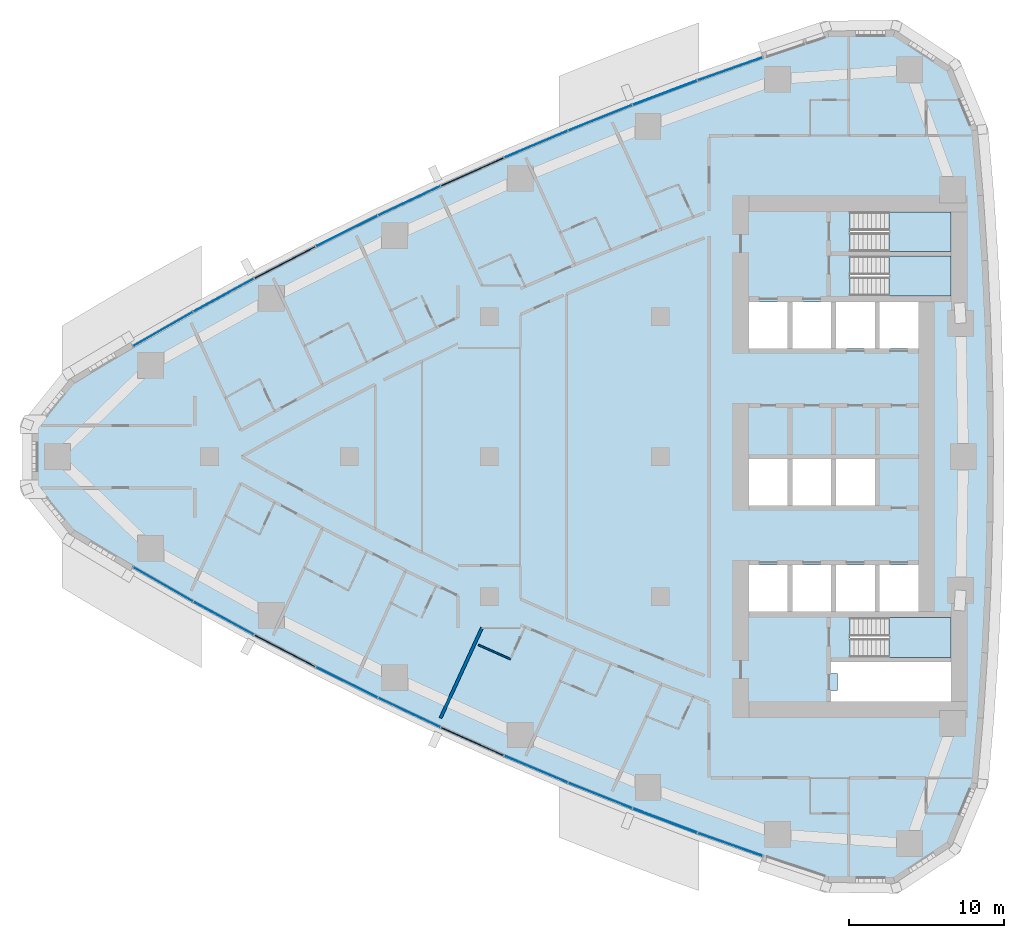
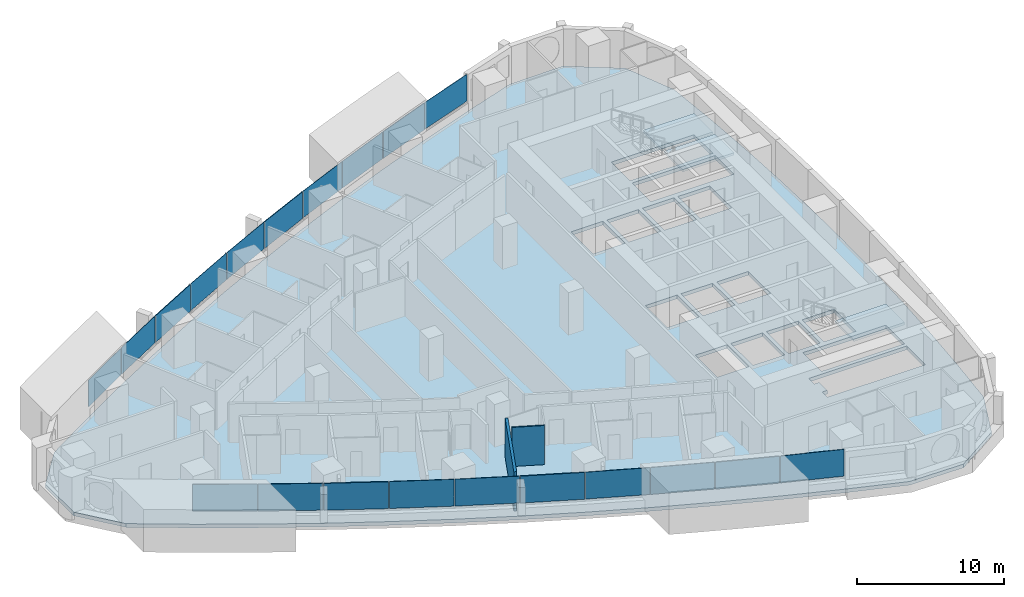
# One storey, part 7 of 17: 20 plates, 4 slabs, 2 walls, 1 opening, 13 elements without a shape of their own.
"""IFC4 building model written with IfcOpenShell, lengths in metres."""

from ifc_helpers import new_model, si_unit, direction, frame, frame_2d, origin, origin_2d, place, context, subcontext, project, spatial, polyline, rectangle, outline, extrude, material, layer, layer_set, type_object, element, aggregate, save


model = new_model("IFC4")

# Units and contexts
model_context = context("Model", 3, precision=1e-05, world=origin(), true_north=direction((0.0, 1.0)))
body_context = subcontext(model_context, "Body", "Model", "MODEL_VIEW")
ifc_project = project(units=[si_unit("LENGTHUNIT", "METRE"), si_unit("AREAUNIT", "SQUARE_METRE"), si_unit("VOLUMEUNIT", "CUBIC_METRE"), si_unit("PLANEANGLEUNIT", "RADIAN"), si_unit("MASSUNIT", "GRAM", prefix="KILO")], contexts=[model_context])

# Site, building, storey
site_placement = place(None, origin())
site = spatial("IfcSite", under=ifc_project, at=site_placement, CompositionType="ELEMENT")
building_placement = place(site_placement, origin())
building = spatial("IfcBuilding", under=site, at=building_placement, Name="Ostrand Prow Hotel Tower", CompositionType="ELEMENT")
storey_placement = place(building_placement, frame((0.0, 0.0, 102.64990234375)))
storey = spatial("IfcBuildingStorey", under=building, at=storey_placement, Name="L24", CompositionType="ELEMENT", Elevation=102.64990234375)

# Curtain wall, plates
ifc_material_1 = material(Name="Insulated glass in bronze anodised frame", Category="glass")
ifc_layer_1 = layer(ifc_material_1, 0.199951171875)
ifc_layer_set_1 = layer_set([ifc_layer_1], Name="Insulated glass in bronze anodised frame")
curtain_wall_type = type_object("IfcCurtainWallType", Name="Strip curtain wall, fritted glass over bronze spandrel", PredefinedType="NOTDEFINED", material=ifc_layer_set_1)
curtain_wall_1_placement = place(storey_placement, origin())
curtain_wall_1 = element("IfcCurtainWall", 1, at=curtain_wall_1_placement, inside=storey, type_object=curtain_wall_type, Name="CW1 run CWS1", PredefinedType="NOTDEFINED")
ifc_material_2 = material(Name="Ceramic-fritted glass", Category="glass")
ifc_layer_2 = layer(ifc_material_2, 0.031982421875)
ifc_layer_set_2 = layer_set([ifc_layer_2], Name="Ceramic-fritted glass")
plate_type_1 = type_object("IfcPlateType", Name="Dot-fritted ceramic glass unit 32 mm", PredefinedType="CURTAIN_PANEL", material=ifc_layer_set_2)
plate_1_placement = place(storey_placement, frame((13.013916015625, -8.2099609375, 1.02001953125), z_axis=(0.0, 0.0, 1.0), x_axis=(0.867684775301, -0.497114806368, 0.0)))
plate_1 = element("IfcPlate", 2, at=plate_1_placement, type_object=plate_type_1, Name="CW1 PN-D panel 1.2", PredefinedType="CURTAIN_PANEL", context=body_context, shape_type="SweptSolid", body=[
    extrude(rectangle(XDim=4.406005859375, YDim=0.031982421875, at=origin_2d()), origin(), (0.0, 0.0, 1.0), 2.22998046875),
])
plate_2_placement = place(storey_placement, frame((16.910888671875, -10.39111328125, 1.02001953125), z_axis=(0.0, 0.0, 1.0), x_axis=(0.877466978439, -0.479637052103, 0.0)))
plate_2 = element("IfcPlate", 3, at=plate_2_placement, type_object=plate_type_1, Name="CW1 PN-D panel 2.2", PredefinedType="CURTAIN_PANEL", context=body_context, shape_type="SweptSolid", body=[
    extrude(rectangle(XDim=4.406005859375, YDim=0.031982421875, at=origin_2d()), origin(), (0.0, 0.0, 1.0), 2.22998046875),
])
aggregate(curtain_wall_1, [plate_1, plate_2])

# Curtain wall, plate
curtain_wall_2_placement = place(storey_placement, origin())
curtain_wall_2 = element("IfcCurtainWall", 4, at=curtain_wall_2_placement, inside=storey, type_object=curtain_wall_type, Name="CW1 run CWS2", PredefinedType="NOTDEFINED")
plate_3_placement = place(storey_placement, frame((24.831787109375, -14.516845703125, 1.02001953125), z_axis=(0.0, 0.0, 1.0), x_axis=(0.895970803653, -0.44411295748, 0.0)))
plate_3 = element("IfcPlate", 5, at=plate_3_placement, type_object=plate_type_1, Name="CW1 PN-D panel 2.2", PredefinedType="CURTAIN_PANEL", context=body_context, shape_type="SweptSolid", body=[
    extrude(rectangle(XDim=4.406005859375, YDim=0.031982421875, at=origin_2d()), origin(), (0.0, 0.0, 1.0), 2.22998046875),
])

curtain_wall_3_placement = place(storey_placement, origin())
curtain_wall_3 = element("IfcCurtainWall", 6, at=curtain_wall_3_placement, inside=storey, type_object=curtain_wall_type, Name="CW1 run CWS3", PredefinedType="NOTDEFINED")
plate_4_placement = place(storey_placement, frame((28.852783203125, -16.4599609375, 1.02001953125), z_axis=(0.0, 0.0, 1.0), x_axis=(0.904685808958, -0.426079320162, 0.0)))
plate_4 = element("IfcPlate", 7, at=plate_4_placement, type_object=plate_type_1, Name="CW1 PN-D panel 1.2", PredefinedType="CURTAIN_PANEL", context=body_context, shape_type="SweptSolid", body=[
    extrude(rectangle(XDim=4.406005859375, YDim=0.031982421875, at=origin_2d()), origin(), (0.0, 0.0, 1.0), 2.22998046875),
])

# Curtain wall, plates
curtain_wall_4_placement = place(storey_placement, origin())
curtain_wall_4 = element("IfcCurtainWall", 8, at=curtain_wall_4_placement, inside=storey, type_object=curtain_wall_type, Name="CW1 run CWS4", PredefinedType="NOTDEFINED")
plate_5_placement = place(storey_placement, frame((37.007080078125, -20.102783203125, 1.02001953125), z_axis=(0.0, 0.0, 1.0), x_axis=(0.921023688536, -0.389506566255, 0.0)))
plate_5 = element("IfcPlate", 9, at=plate_5_placement, type_object=plate_type_1, Name="CW1 PN-D panel 1.2", PredefinedType="CURTAIN_PANEL", context=body_context, shape_type="SweptSolid", body=[
    extrude(rectangle(XDim=4.406005859375, YDim=0.031982421875, at=origin_2d()), origin(), (0.0, 0.0, 1.0), 2.22998046875),
])
plate_6_placement = place(storey_placement, frame((41.137451171875, -21.801025390625, 1.02001953125), z_axis=(0.0, 0.0, 1.0), x_axis=(0.928640008649, -0.370982121315, 0.0)))
plate_6 = element("IfcPlate", 10, at=plate_6_placement, type_object=plate_type_1, Name="CW1 PN-D panel 2.2", PredefinedType="CURTAIN_PANEL", context=body_context, shape_type="SweptSolid", body=[
    extrude(rectangle(XDim=4.406005859375, YDim=0.031982421875, at=origin_2d()), origin(), (0.0, 0.0, 1.0), 2.22998046875),
])
aggregate(curtain_wall_4, [plate_5, plate_6])

# Curtain wall, plate
curtain_wall_5_placement = place(storey_placement, origin())
curtain_wall_5 = element("IfcCurtainWall", 11, at=curtain_wall_5_placement, inside=storey, type_object=curtain_wall_type, Name="CW1 run CWS5", PredefinedType="NOTDEFINED")
plate_7_placement = place(storey_placement, frame((49.49609375, -24.947509765625, 1.02001953125), z_axis=(0.0, 0.0, 1.0), x_axis=(0.942751551748, -0.333495894542, 0.0)))
plate_7 = element("IfcPlate", 12, at=plate_7_placement, type_object=plate_type_1, Name="CW1 PN-D panel 2.2", PredefinedType="CURTAIN_PANEL", context=body_context, shape_type="SweptSolid", body=[
    extrude(rectangle(XDim=4.406005859375, YDim=0.031982421875, at=origin_2d()), origin(), (0.0, 0.0, 1.0), 2.22998046875),
])

curtain_wall_6_placement = place(storey_placement, origin())
curtain_wall_6 = element("IfcCurtainWall", 13, at=curtain_wall_6_placement, inside=storey, type_object=curtain_wall_type, Name="CW1 run CWN1", PredefinedType="NOTDEFINED")
plate_8_placement = place(storey_placement, frame((49.49609375, 24.947509765625, 1.02001953125), z_axis=(0.0, 0.0, 1.0), x_axis=(-0.942751551748, -0.333495894542, 0.0)))
plate_8 = element("IfcPlate", 14, at=plate_8_placement, type_object=plate_type_1, Name="CW1 PN-D panel 1.2", PredefinedType="CURTAIN_PANEL", context=body_context, shape_type="SweptSolid", body=[
    extrude(rectangle(XDim=4.406005859375, YDim=0.031982421875, at=origin_2d()), origin(), (0.0, 0.0, 1.0), 2.22998046875),
])

# Curtain wall, plates
curtain_wall_7_placement = place(storey_placement, origin())
curtain_wall_7 = element("IfcCurtainWall", 15, at=curtain_wall_7_placement, inside=storey, type_object=curtain_wall_type, Name="CW1 run CWN2", PredefinedType="NOTDEFINED")
plate_9_placement = place(storey_placement, frame((41.137451171875, 21.801025390625, 1.02001953125), z_axis=(0.0, 0.0, 1.0), x_axis=(-0.928640008649, -0.370982121315, 0.0)))
plate_9 = element("IfcPlate", 16, at=plate_9_placement, type_object=plate_type_1, Name="CW1 PN-D panel 1.2", PredefinedType="CURTAIN_PANEL", context=body_context, shape_type="SweptSolid", body=[
    extrude(rectangle(XDim=4.406005859375, YDim=0.031982421875, at=origin_2d()), origin(), (0.0, 0.0, 1.0), 2.22998046875),
])
plate_10_placement = place(storey_placement, frame((37.007080078125, 20.102783203125, 1.02001953125), z_axis=(0.0, 0.0, 1.0), x_axis=(-0.921023688536, -0.389506566255, 0.0)))
plate_10 = element("IfcPlate", 17, at=plate_10_placement, type_object=plate_type_1, Name="CW1 PN-D panel 2.2", PredefinedType="CURTAIN_PANEL", context=body_context, shape_type="SweptSolid", body=[
    extrude(rectangle(XDim=4.406005859375, YDim=0.031982421875, at=origin_2d()), origin(), (0.0, 0.0, 1.0), 2.22998046875),
])
aggregate(curtain_wall_7, [plate_9, plate_10])

# Curtain wall, plate
curtain_wall_8_placement = place(storey_placement, origin())
curtain_wall_8 = element("IfcCurtainWall", 18, at=curtain_wall_8_placement, inside=storey, type_object=curtain_wall_type, Name="CW1 run CWN3", PredefinedType="NOTDEFINED")
plate_11_placement = place(storey_placement, frame((28.852783203125, 16.4599609375, 1.02001953125), z_axis=(0.0, 0.0, 1.0), x_axis=(-0.904685808958, -0.426079320162, 0.0)))
plate_11 = element("IfcPlate", 19, at=plate_11_placement, type_object=plate_type_1, Name="CW1 PN-D panel 2.2", PredefinedType="CURTAIN_PANEL", context=body_context, shape_type="SweptSolid", body=[
    extrude(rectangle(XDim=4.406005859375, YDim=0.031982421875, at=origin_2d()), origin(), (0.0, 0.0, 1.0), 2.22998046875),
])

curtain_wall_9_placement = place(storey_placement, origin())
curtain_wall_9 = element("IfcCurtainWall", 20, at=curtain_wall_9_placement, inside=storey, type_object=curtain_wall_type, Name="CW1 run CWN4", PredefinedType="NOTDEFINED")
plate_12_placement = place(storey_placement, frame((24.831787109375, 14.516845703125, 1.02001953125), z_axis=(0.0, 0.0, 1.0), x_axis=(-0.895970803653, -0.44411295748, 0.0)))
plate_12 = element("IfcPlate", 21, at=plate_12_placement, type_object=plate_type_1, Name="CW1 PN-D panel 1.2", PredefinedType="CURTAIN_PANEL", context=body_context, shape_type="SweptSolid", body=[
    extrude(rectangle(XDim=4.406005859375, YDim=0.031982421875, at=origin_2d()), origin(), (0.0, 0.0, 1.0), 2.22998046875),
])

# Curtain wall, plates
curtain_wall_10_placement = place(storey_placement, origin())
curtain_wall_10 = element("IfcCurtainWall", 22, at=curtain_wall_10_placement, inside=storey, type_object=curtain_wall_type, Name="CW1 run CWN5", PredefinedType="NOTDEFINED")
plate_13_placement = place(storey_placement, frame((16.910888671875, 10.39111328125, 1.02001953125), z_axis=(0.0, 0.0, 1.0), x_axis=(-0.877466978439, -0.479637052103, 0.0)))
plate_13 = element("IfcPlate", 23, at=plate_13_placement, type_object=plate_type_1, Name="CW1 PN-D panel 1.2", PredefinedType="CURTAIN_PANEL", context=body_context, shape_type="SweptSolid", body=[
    extrude(rectangle(XDim=4.406005859375, YDim=0.031982421875, at=origin_2d()), origin(), (0.0, 0.0, 1.0), 2.22998046875),
])
plate_14_placement = place(storey_placement, frame((13.013916015625, 8.2099609375, 1.02001953125), z_axis=(0.0, 0.0, 1.0), x_axis=(-0.867684775301, -0.497114806368, 0.0)))
plate_14 = element("IfcPlate", 24, at=plate_14_placement, type_object=plate_type_1, Name="CW1 PN-D panel 2.2", PredefinedType="CURTAIN_PANEL", context=body_context, shape_type="SweptSolid", body=[
    extrude(rectangle(XDim=4.406005859375, YDim=0.031982421875, at=origin_2d()), origin(), (0.0, 0.0, 1.0), 2.22998046875),
])
aggregate(curtain_wall_10, [plate_13, plate_14])

# Plate
ifc_material_3 = material(Name="Fritted glass in bronze vent frame", Category="glass")
ifc_layer_3 = layer(ifc_material_3, 0.06005859375)
ifc_layer_set_3 = layer_set([ifc_layer_3], Name="Fritted glass in bronze vent frame")
plate_type_2 = type_object("IfcPlateType", Name="Operable vent panel 60 mm", PredefinedType="CURTAIN_PANEL", material=ifc_layer_set_3)
plate_15_placement = place(storey_placement, frame((20.8505859375, -12.49365234375, 1.02001953125), z_axis=(0.0, 0.0, 1.0), x_axis=(0.886896367661, -0.461968432937, 0.0)))
plate_15 = element("IfcPlate", 25, at=plate_15_placement, type_object=plate_type_2, Name="CW1 PN-O panel 1.2", PredefinedType="CURTAIN_PANEL", context=body_context, shape_type="SweptSolid", body=[
    extrude(rectangle(XDim=4.406005859375, YDim=0.06005859375, at=origin_2d()), origin(), (0.0, 0.0, 1.0), 2.22998046875),
])

aggregate(curtain_wall_2, [plate_15, plate_3])

plate_16_placement = place(storey_placement, frame((32.911865234375, -18.322265625, 1.02001953125), z_axis=(0.0, 0.0, 1.0), x_axis=(0.913037887435, -0.407874755419, 0.0)))
plate_16 = element("IfcPlate", 26, at=plate_16_placement, type_object=plate_type_2, Name="CW1 PN-O panel 2.2", PredefinedType="CURTAIN_PANEL", context=body_context, shape_type="SweptSolid", body=[
    extrude(rectangle(XDim=4.406005859375, YDim=0.06005859375, at=origin_2d()), origin(), (0.0, 0.0, 1.0), 2.22998046875),
])

aggregate(curtain_wall_3, [plate_4, plate_16])

plate_17_placement = place(storey_placement, frame((45.301025390625, -23.416015625, 1.02001953125), z_axis=(0.0, 0.0, 1.0), x_axis=(0.935883792387, -0.35230885193, 0.0)))
plate_17 = element("IfcPlate", 27, at=plate_17_placement, type_object=plate_type_2, Name="CW1 PN-O panel 1.2", PredefinedType="CURTAIN_PANEL", context=body_context, shape_type="SweptSolid", body=[
    extrude(rectangle(XDim=4.406005859375, YDim=0.06005859375, at=origin_2d()), origin(), (0.0, 0.0, 1.0), 2.22998046875),
])

aggregate(curtain_wall_5, [plate_17, plate_7])

plate_18_placement = place(storey_placement, frame((45.301025390625, 23.416015625, 1.02001953125), z_axis=(0.0, 0.0, 1.0), x_axis=(-0.935883792387, -0.35230885193, 0.0)))
plate_18 = element("IfcPlate", 28, at=plate_18_placement, type_object=plate_type_2, Name="CW1 PN-O panel 2.2", PredefinedType="CURTAIN_PANEL", context=body_context, shape_type="SweptSolid", body=[
    extrude(rectangle(XDim=4.406005859375, YDim=0.06005859375, at=origin_2d()), origin(), (0.0, 0.0, 1.0), 2.22998046875),
])

aggregate(curtain_wall_6, [plate_8, plate_18])

plate_19_placement = place(storey_placement, frame((32.911865234375, 18.322265625, 1.02001953125), z_axis=(0.0, 0.0, 1.0), x_axis=(-0.913037887435, -0.407874755419, 0.0)))
plate_19 = element("IfcPlate", 29, at=plate_19_placement, type_object=plate_type_2, Name="CW1 PN-O panel 1.2", PredefinedType="CURTAIN_PANEL", context=body_context, shape_type="SweptSolid", body=[
    extrude(rectangle(XDim=4.406005859375, YDim=0.06005859375, at=origin_2d()), origin(), (0.0, 0.0, 1.0), 2.22998046875),
])

aggregate(curtain_wall_8, [plate_19, plate_11])

plate_20_placement = place(storey_placement, frame((20.8505859375, 12.49365234375, 1.02001953125), z_axis=(0.0, 0.0, 1.0), x_axis=(-0.886896367661, -0.461968432937, 0.0)))
plate_20 = element("IfcPlate", 30, at=plate_20_placement, type_object=plate_type_2, Name="CW1 PN-O panel 2.2", PredefinedType="CURTAIN_PANEL", context=body_context, shape_type="SweptSolid", body=[
    extrude(rectangle(XDim=4.406005859375, YDim=0.06005859375, at=origin_2d()), origin(), (0.0, 0.0, 1.0), 2.22998046875),
])

aggregate(curtain_wall_9, [plate_12, plate_20])

# Slab, opening
ifc_material_4 = material(Name="Concrete C40/50", Category="concrete")
ifc_layer_4 = layer(ifc_material_4, 0.300048828125)
ifc_layer_set_4 = layer_set([ifc_layer_4], Name="Concrete C40/50")
slab_type_1 = type_object("IfcSlabType", Name="PT flat plate 300 C40/50", PredefinedType="FLOOR", material=ifc_layer_set_4)
slab_1_placement = place(storey_placement, frame((0.0, 0.0, -0.2998046875)))
slab_1 = element("IfcSlab", 31, at=slab_1_placement, inside=storey, type_object=slab_type_1, Name="Floor slab L24-1", PredefinedType="FLOOR", context=body_context, shape_type="SweptSolid", body=[
    extrude(outline(polyline([(7.150390625, 4.879638671875), (11.01806640625, 7.19970703125), (14.89501953125, 9.4208984375), (18.81591796875, 11.56396484375), (22.77880859375, 13.628173828125), (26.7822265625, 15.61279296875), (30.82470703125, 17.5166015625), (34.904541015625, 19.339111328125), (39.02001953125, 21.07958984375), (43.16943359375, 22.7373046875), (47.351318359375, 24.311279296875), (51.563720703125, 25.801513671875), (55.839599609375, 27.218505859375), (60.05615234375, 27.271728515625), (63.6103515625, 24.932861328125), (65.2294921875, 21.039306640625), (65.598876953125, 16.81201171875), (65.883544921875, 12.614501953125), (66.087158203125, 8.412353515625), (66.209228515625, 4.206787109375), (66.25, 0.0), (66.209228515625, -4.206787109375), (66.087158203125, -8.412353515625), (65.883544921875, -12.614501953125), (65.598876953125, -16.81201171875), (65.2294921875, -21.039306640625), (63.6103515625, -24.932861328125), (60.05615234375, -27.271728515625), (55.839599609375, -27.218505859375), (51.563720703125, -25.801513671875), (47.351318359375, -24.311279296875), (43.16943359375, -22.7373046875), (39.02001953125, -21.07958984375), (34.904541015625, -19.339111328125), (30.82470703125, -17.5166015625), (26.7822265625, -15.61279296875), (22.77880859375, -13.628173828125), (18.81591796875, -11.56396484375), (14.89501953125, -9.4208984375), (11.01806640625, -7.19970703125), (7.150390625, -4.879638671875), (4.75830078125, -1.923583984375), (4.75830078125, 1.923583984375), (7.150390625, 4.879638671875)]), holes=[polyline([(50.699951171875, 6.949951171875), (53.199951171875, 6.949951171875), (53.199951171875, 9.949951171875), (50.699951171875, 9.949951171875), (50.699951171875, 6.949951171875)]), polyline([(53.5, 6.949951171875), (56.0, 6.949951171875), (56.0, 9.949951171875), (53.5, 9.949951171875), (53.5, 6.949951171875)]), polyline([(56.300048828125, 6.949951171875), (58.800048828125, 6.949951171875), (58.800048828125, 9.949951171875), (56.300048828125, 9.949951171875), (56.300048828125, 6.949951171875)]), polyline([(59.10009765625, 6.949951171875), (61.60009765625, 6.949951171875), (61.60009765625, 9.949951171875), (59.10009765625, 9.949951171875), (59.10009765625, 6.949951171875)]), polyline([(50.699951171875, -3.14990234375), (53.199951171875, -3.14990234375), (53.199951171875, -0.14990234375), (50.699951171875, -0.14990234375), (50.699951171875, -3.14990234375)]), polyline([(53.5, -3.14990234375), (56.0, -3.14990234375), (56.0, -0.14990234375), (53.5, -0.14990234375), (53.5, -3.14990234375)]), polyline([(56.300048828125, -3.14990234375), (58.800048828125, -3.14990234375), (58.800048828125, -0.14990234375), (56.300048828125, -0.14990234375), (56.300048828125, -3.14990234375)]), polyline([(50.699951171875, -9.949951171875), (53.199951171875, -9.949951171875), (53.199951171875, -6.949951171875), (50.699951171875, -6.949951171875), (50.699951171875, -9.949951171875)]), polyline([(53.5, -9.949951171875), (56.0, -9.949951171875), (56.0, -6.949951171875), (53.5, -6.949951171875), (53.5, -9.949951171875)]), polyline([(56.300048828125, -9.949951171875), (58.800048828125, -9.949951171875), (58.800048828125, -6.949951171875), (56.300048828125, -6.949951171875), (56.300048828125, -9.949951171875)]), polyline([(59.10009765625, -9.949951171875), (61.60009765625, -9.949951171875), (61.60009765625, -6.949951171875), (59.10009765625, -6.949951171875), (59.10009765625, -9.949951171875)]), polyline([(57.200927734375, 10.35107421875), (57.200927734375, 12.89892578125), (63.718994140625, 12.89892578125), (63.718994140625, 10.35107421875), (57.200927734375, 10.35107421875)]), polyline([(57.200927734375, 13.200927734375), (57.200927734375, 15.7490234375), (63.718994140625, 15.7490234375), (63.718994140625, 13.200927734375), (57.200927734375, 13.200927734375)]), polyline([(57.200927734375, -12.89892578125), (57.200927734375, -10.35107421875), (63.718994140625, -10.35107421875), (63.718994140625, -12.89892578125), (57.200927734375, -12.89892578125)]), polyline([(56.0, -13.199951171875), (63.719970703125, -13.199951171875), (63.719970703125, -15.75), (56.0, -15.75), (56.0, -15.050048828125), (56.39990234375, -15.050048828125), (56.39990234375, -13.949951171875), (56.0, -13.949951171875), (56.0, -13.199951171875)])]), origin(), (0.0, 0.0, 1.0), 0.2998046875),
])
opening_placement = place(slab_1_placement, origin())
element("IfcOpeningElement", 32, at=opening_placement, cuts=slab_1, Name="Shaft opening 1", PredefinedType="OPENING", context=body_context, shape_type="SweptSolid", body=[
    extrude(outline(polyline([(56.0, -13.199951171875), (63.719970703125, -13.199951171875), (63.719970703125, -15.75), (56.0, -15.75), (56.0, -15.050048828125), (56.39990234375, -15.050048828125), (56.39990234375, -13.949951171875), (56.0, -13.949951171875), (56.0, -13.199951171875)])), origin(), (0.0, 0.0, 1.0), 0.2998046875),
])

# Stair, slab
ifc_material_5 = material(Name="Concrete C40/50", Category="concrete")
stair_type = type_object("IfcStairType", Name="Exit stair 1200 upper zone", PredefinedType="HALF_TURN_STAIR", material=ifc_material_5)
stair_1_placement = place(storey_placement, origin())
stair_1 = element("IfcStair", 33, at=stair_1_placement, inside=storey, type_object=stair_type, Name="L24 ST1C", PredefinedType="HALF_TURN_STAIR")
ifc_material_6 = material(Name="Concrete C40/50", Category="concrete")
ifc_layer_5 = layer(ifc_material_6, 0.199951171875)
ifc_layer_set_5 = layer_set([ifc_layer_5], Name="Concrete C40/50")
slab_type_2 = type_object("IfcSlabType", Name="Stair landing 200 concrete", PredefinedType="LANDING", material=ifc_layer_set_5)
slab_2_placement = place(storey_placement, frame((0.0, 0.0, 1.5751953125)))
slab_2 = element("IfcSlab", 34, at=slab_2_placement, type_object=slab_type_2, Name="ST1C landing 1", PredefinedType="LANDING", context=body_context, shape_type="SweptSolid", body=[
    extrude(outline(polyline([(59.719970703125, 10.35009765625), (63.719970703125, 10.35009765625), (63.719970703125, 12.89990234375), (59.719970703125, 12.89990234375), (59.719970703125, 10.35009765625)])), origin(), (0.0, 0.0, 1.0), 0.199951171875),
])
aggregate(stair_1, [slab_2])

stair_2_placement = place(storey_placement, origin())
stair_2 = element("IfcStair", 35, at=stair_2_placement, inside=storey, type_object=stair_type, Name="L24 ST3C", PredefinedType="HALF_TURN_STAIR")
slab_3_placement = place(storey_placement, frame((0.0, 0.0, 1.5751953125)))
slab_3 = element("IfcSlab", 36, at=slab_3_placement, type_object=slab_type_2, Name="ST3C landing 1", PredefinedType="LANDING", context=body_context, shape_type="SweptSolid", body=[
    extrude(outline(polyline([(59.719970703125, 13.199951171875), (63.719970703125, 13.199951171875), (63.719970703125, 15.75), (59.719970703125, 15.75), (59.719970703125, 13.199951171875)])), origin(), (0.0, 0.0, 1.0), 0.199951171875),
])
aggregate(stair_2, [slab_3])

stair_3_placement = place(storey_placement, origin())
stair_3 = element("IfcStair", 37, at=stair_3_placement, inside=storey, type_object=stair_type, Name="L24 ST2C", PredefinedType="HALF_TURN_STAIR")
slab_4_placement = place(storey_placement, frame((0.0, 0.0, 1.5751953125)))
slab_4 = element("IfcSlab", 38, at=slab_4_placement, type_object=slab_type_2, Name="ST2C landing 1", PredefinedType="LANDING", context=body_context, shape_type="SweptSolid", body=[
    extrude(outline(polyline([(59.719970703125, -12.89990234375), (63.719970703125, -12.89990234375), (63.719970703125, -10.35009765625), (59.719970703125, -10.35009765625), (59.719970703125, -12.89990234375)])), origin(), (0.0, 0.0, 1.0), 0.199951171875),
])
aggregate(stair_3, [slab_4])

# Walls
ifc_material_7 = material(Name="Plasterboard partition")
ifc_layer_6 = layer(ifc_material_7, 0.10009765625)
ifc_layer_set_6 = layer_set([ifc_layer_6], Name="Plasterboard partition")
wall_type_1 = type_object("IfcWallType", Name="Partition 100 bathroom wall", PredefinedType="PARTITIONING", material=ifc_layer_set_6)
wall_1_placement = place(storey_placement, frame((35.35400390625, -13.023193359375, 0.0), z_axis=(0.0, 0.0, 1.0), x_axis=(-0.913060453705, 0.407824236504, 0.0)))
element("IfcWall", 39, at=wall_1_placement, inside=storey, type_object=wall_type_1, Name="BATHROOM WALL", PredefinedType="PARTITIONING", context=body_context, shape_type="SweptSolid", body=[
    extrude(rectangle(XDim=2.2431640625, YDim=0.10009765625, at=frame_2d((1.12158203125, 0.0))), origin(), (0.0, 0.0, 1.0), 3.25),
])
ifc_material_8 = material(Name="Plasterboard partition")
ifc_layer_7 = layer(ifc_material_8, 0.199951171875)
ifc_layer_set_7 = layer_set([ifc_layer_7], Name="Plasterboard partition")
wall_type_2 = type_object("IfcWallType", Name="Partition 200 key partition", PredefinedType="PARTITIONING", material=ifc_layer_set_7)
wall_2_placement = place(storey_placement, frame((30.861083984375, -16.815185546875, 0.0), z_axis=(0.0, 0.0, 1.0), x_axis=(0.417441426461, 0.908703832651, 0.0)))
element("IfcWall", 40, at=wall_2_placement, inside=storey, type_object=wall_type_2, Name="KEY PARTITION", PredefinedType="PARTITIONING", context=body_context, shape_type="SweptSolid", body=[
    extrude(rectangle(XDim=6.3994140625, YDim=0.199951171875, at=frame_2d((3.19970703125, 0.0))), origin(), (0.0, 0.0, 1.0), 3.25),
])

save(model, "model.ifc")
